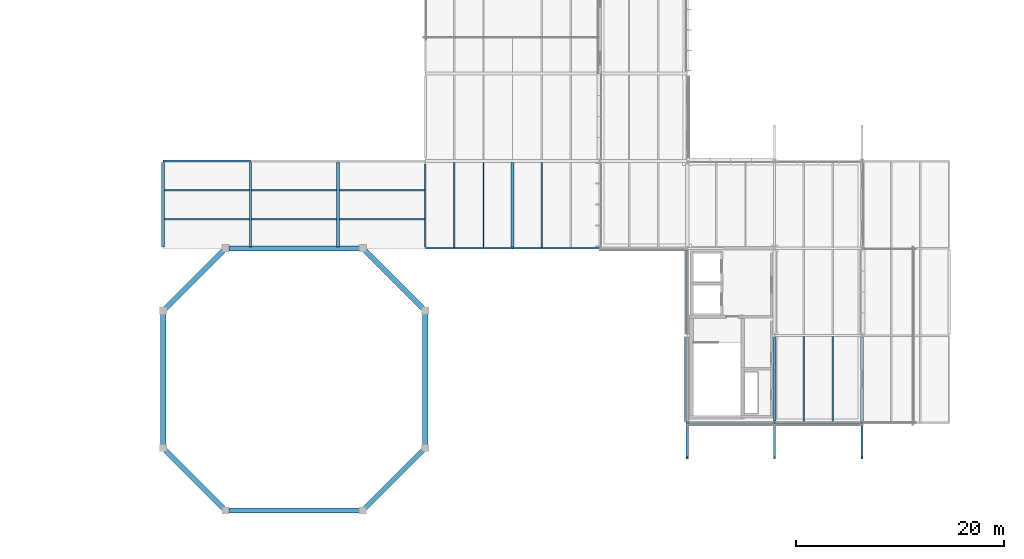
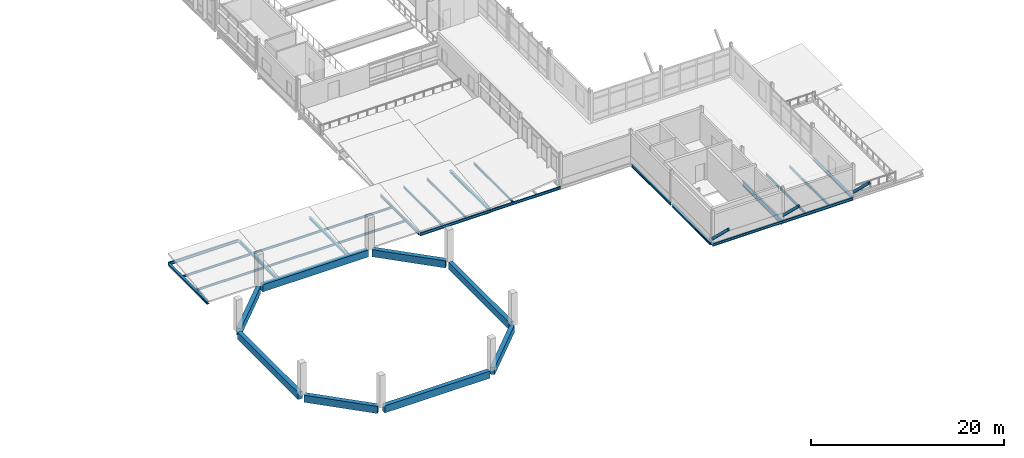
# One storey, part 14 of 131: 33 beams, 3 members.
"""IFC4 building model written with IfcOpenShell, lengths in metres."""

from ifc_helpers import new_model, si_unit, direction, frame, origin, origin_2d, place, context, subcontext, project, spatial, rectangle, hollow_rectangle, i_section, extrude, material, material_profile, profile_set, type_object, element, save


model = new_model("IFC4")

# Units and contexts
model_context = context("Model", 3, precision=1e-05, world=origin(), true_north=direction((0.0, 1.0)))
body_context = subcontext(model_context, "Body", "Model", "MODEL_VIEW")
ifc_project = project(units=[si_unit("LENGTHUNIT", "METRE"), si_unit("AREAUNIT", "SQUARE_METRE"), si_unit("VOLUMEUNIT", "CUBIC_METRE"), si_unit("PLANEANGLEUNIT", "RADIAN"), si_unit("MASSUNIT", "GRAM", prefix="KILO")], contexts=[model_context])

# Site, building, storey
site_placement = place(None, origin())
site = spatial("IfcSite", under=ifc_project, at=site_placement, CompositionType="ELEMENT")
building_placement = place(site_placement, origin())
building = spatial("IfcBuilding", under=site, at=building_placement, Name="Mersafa Astral City Hall", CompositionType="ELEMENT")
storey_placement = place(building_placement, frame((0.0, 0.0, 13.949951171875)))
storey = spatial("IfcBuildingStorey", under=building, at=storey_placement, Name="L03", CompositionType="ELEMENT", Elevation=13.949951171875)

# Beams
ifc_material_1 = material(Name="Concrete C40/50", Category="concrete")
ifc_material_profile_1 = material_profile(ifc_material_1, rectangle(XDim=0.5, YDim=0.89990234375, at=origin_2d()), Name="RC 500x900")
ifc_profile_set_1 = profile_set([ifc_material_profile_1], Name="Concrete C40/50")
beam_type_1 = type_object("IfcBeamType", Name="STR-BM-DRUM-RC500X900", PredefinedType="BEAM", material=ifc_profile_set_1)
beam_1_placement = place(storey_placement, frame((73.510009765625, 0.0, -0.449951171875), z_axis=(1.0, 0.0, 0.0), x_axis=(0.0, 1.0, 0.0)))
element("IfcBeam", 1, at=beam_1_placement, inside=storey, type_object=beam_type_1, Name="L03 Chamber drum ring beam 1", PredefinedType="BEAM", context=body_context, shape_type="SweptSolid", body=[
    extrude(rectangle(XDim=0.5, YDim=0.89990234375, at=origin_2d()), origin(), (0.0, 0.0, 1.0), 12.580078125),
])
beam_2_placement = place(storey_placement, frame((86.619140625, 0.21923828125, -0.449951171875), z_axis=(0.707122301018, 0.707091261015, 0.0), x_axis=(-0.707091261015, 0.707122301018, 0.0)))
element("IfcBeam", 2, at=beam_2_placement, inside=storey, type_object=beam_type_1, Name="L03 Chamber drum ring beam 2", PredefinedType="BEAM", context=body_context, shape_type="SweptSolid", body=[
    extrude(rectangle(XDim=0.5, YDim=0.89990234375, at=origin_2d()), origin(), (0.0, 0.0, 1.0), 7.865234375),
])
beam_3_placement = place(storey_placement, frame((92.39990234375, 6.31005859375, -0.449951171875), z_axis=(0.0, 1.0, 0.0), x_axis=(-1.0, 0.0, 0.0)))
element("IfcBeam", 3, at=beam_3_placement, inside=storey, type_object=beam_type_1, Name="L03 Chamber drum ring beam 3", PredefinedType="BEAM", context=body_context, shape_type="SweptSolid", body=[
    extrude(rectangle(XDim=0.5, YDim=0.89990234375, at=origin_2d()), origin(), (0.0, 0.0, 1.0), 12.579833984375),
])
beam_4_placement = place(storey_placement, frame((92.180908203125, 19.419189453125, -0.449951171875), z_axis=(-0.707122301018, 0.707091261015, 0.0), x_axis=(-0.707091261015, -0.707122301018, 0.0)))
element("IfcBeam", 4, at=beam_4_placement, inside=storey, type_object=beam_type_1, Name="L03 Chamber drum ring beam 4", PredefinedType="BEAM", context=body_context, shape_type="SweptSolid", body=[
    extrude(rectangle(XDim=0.5, YDim=0.89990234375, at=origin_2d()), origin(), (0.0, 0.0, 1.0), 7.865234375),
])
beam_5_placement = place(storey_placement, frame((86.090087890625, 25.199951171875, -0.449951171875), z_axis=(-1.0, 0.0, 0.0), x_axis=(0.0, -1.0, 0.0)))
element("IfcBeam", 5, at=beam_5_placement, inside=storey, type_object=beam_type_1, Name="L03 Chamber drum ring beam 5", PredefinedType="BEAM", context=body_context, shape_type="SweptSolid", body=[
    extrude(rectangle(XDim=0.5, YDim=0.89990234375, at=origin_2d()), origin(), (0.0, 0.0, 1.0), 12.580078125),
])
beam_6_placement = place(storey_placement, frame((72.980712890625, 24.980712890625, -0.449951171875), z_axis=(-0.707106781187, -0.707106781187, 0.0), x_axis=(0.707106781187, -0.707106781187, 0.0)))
element("IfcBeam", 6, at=beam_6_placement, inside=storey, type_object=beam_type_1, Name="L03 Chamber drum ring beam 6", PredefinedType="BEAM", context=body_context, shape_type="SweptSolid", body=[
    extrude(rectangle(XDim=0.5, YDim=0.89990234375, at=origin_2d()), origin(), (0.0, 0.0, 1.0), 7.865234375),
])
beam_7_placement = place(storey_placement, frame((67.199951171875, 18.889892578125, -0.449951171875), z_axis=(0.0, -1.0, 0.0), x_axis=(1.0, 0.0, 0.0)))
element("IfcBeam", 7, at=beam_7_placement, inside=storey, type_object=beam_type_1, Name="L03 Chamber drum ring beam 7", PredefinedType="BEAM", context=body_context, shape_type="SweptSolid", body=[
    extrude(rectangle(XDim=0.5, YDim=0.89990234375, at=origin_2d()), origin(), (0.0, 0.0, 1.0), 12.579833984375),
])
beam_8_placement = place(storey_placement, frame((67.419189453125, 5.78076171875, -0.449951171875), z_axis=(0.707106781187, -0.707106781187, 0.0), x_axis=(0.707106781187, 0.707106781187, 0.0)))
element("IfcBeam", 8, at=beam_8_placement, inside=storey, type_object=beam_type_1, Name="L03 Chamber drum ring beam 8", PredefinedType="BEAM", context=body_context, shape_type="SweptSolid", body=[
    extrude(rectangle(XDim=0.5, YDim=0.89990234375, at=origin_2d()), origin(), (0.0, 0.0, 1.0), 7.865234375),
])
ifc_material_2 = material(Name="Steel S355", Category="steel")
ifc_material_profile_2 = material_profile(ifc_material_2, i_section(OverallWidth=0.219970703125, OverallDepth=0.60009765625, WebThickness=0.011962890625, FlangeThickness=0.01904296875, FilletRadius=0.02392578125, at=origin_2d()), Name="IPE 600")
ifc_profile_set_2 = profile_set([ifc_material_profile_2], Name="Steel S355")
beam_type_2 = type_object("IfcBeamType", Name="STR-BM-IPE600", PredefinedType="BEAM", material=ifc_profile_set_2)
beam_9_placement = place(storey_placement, frame((126.0, 8.574951171875, -0.5), z_axis=(0.0, 1.0, 0.0), x_axis=(-1.0, 0.0, 0.0)))
element("IfcBeam", 9, at=beam_9_placement, inside=storey, type_object=beam_type_2, Name="L03 Primary girder Y 15-1", PredefinedType="BEAM", context=body_context, shape_type="SweptSolid", body=[
    extrude(i_section(OverallWidth=0.219970703125, OverallDepth=0.60009765625, WebThickness=0.011962890625, FlangeThickness=0.01904296875, FilletRadius=0.02392578125, at=origin_2d()), origin(), (0.0, 0.0, 1.0), 8.06005859375),
])
ifc_material_profile_3 = material_profile(ifc_material_2, i_section(OverallWidth=0.135009765625, OverallDepth=0.27001953125, WebThickness=0.006591796875, FlangeThickness=0.01025390625, FilletRadius=0.014892578125, at=origin_2d()), Name="IPE 270")
ifc_profile_set_3 = profile_set([ifc_material_profile_3], Name="Steel S355")
beam_type_3 = type_object("IfcBeamType", Name="STR-BM-JOIST-IPE270", PredefinedType="JOIST", material=ifc_profile_set_3)
for number, where, z_axis, x_axis, name in (
    (10, (67.3349609375, 28.0, -0.3349609375), (1.0, 0.0, 0.0), (0.0, 1.0, 0.0), "L03 Flat roof secondary joist 7"),
    (11, (67.3349609375, 30.800048828125, -0.3349609375), (1.0, 0.0, 0.0), (0.0, 1.0, 0.0), "L03 Flat roof secondary joist 8"),
    (12, (75.679931640625, 28.0, -0.3349609375), (1.0, 0.0, 0.0), (0.0, 1.0, 0.0), "L03 Flat roof secondary joist 9"),
    (13, (75.679931640625, 30.800048828125, -0.3349609375), (1.0, 0.0, 0.0), (0.0, 1.0, 0.0), "L03 Flat roof secondary joist 10"),
    (14, (84.135009765625, 28.0, -0.3349609375), (1.0, 0.0, 0.0), (0.0, 1.0, 0.0), "L03 Flat roof secondary joist 11"),
    (15, (84.135009765625, 30.800048828125, -0.3349609375), (1.0, 0.0, 0.0), (0.0, 1.0, 0.0), "L03 Flat roof secondary joist 12"),
):
    element("IfcBeam", number, at=place(storey_placement, frame(where, z_axis=z_axis, x_axis=x_axis)), inside=storey, type_object=beam_type_3, Name=name, PredefinedType="JOIST", context=body_context, shape_type="SweptSolid", body=[
        extrude(i_section(OverallWidth=0.135009765625, OverallDepth=0.27001953125, WebThickness=0.006591796875, FlangeThickness=0.01025390625, FilletRadius=0.014892578125, at=origin_2d()), origin(), (0.0, 0.0, 1.0), 8.18505859375),
    ])
for number, where, z_axis, x_axis, name in (
    (16, (95.199951171875, 25.280029296875, -0.3349609375), (0.0, 1.0, 0.0), (-1.0, 0.0, 0.0), "L03 Flat roof secondary joist 13"),
    (17, (98.0, 25.280029296875, -0.3349609375), (0.0, 1.0, 0.0), (-1.0, 0.0, 0.0), "L03 Flat roof secondary joist 14"),
):
    element("IfcBeam", number, at=place(storey_placement, frame(where, z_axis=z_axis, x_axis=x_axis)), inside=storey, type_object=beam_type_3, Name=name, PredefinedType="JOIST", context=body_context, shape_type="SweptSolid", body=[
        extrude(i_section(OverallWidth=0.135009765625, OverallDepth=0.27001953125, WebThickness=0.006591796875, FlangeThickness=0.01025390625, FilletRadius=0.014892578125, at=origin_2d()), origin(), (0.0, 0.0, 1.0), 8.175048828125),
    ])
beam_10_placement = place(storey_placement, frame((103.60009765625, 25.27490234375, -0.3349609375), z_axis=(0.0, 1.0, 0.0), x_axis=(-1.0, 0.0, 0.0)))
element("IfcBeam", 18, at=beam_10_placement, inside=storey, type_object=beam_type_3, Name="L03 Flat roof secondary joist 19", PredefinedType="JOIST", context=body_context, shape_type="SweptSolid", body=[
    extrude(i_section(OverallWidth=0.135009765625, OverallDepth=0.27001953125, WebThickness=0.006591796875, FlangeThickness=0.01025390625, FilletRadius=0.014892578125, at=origin_2d()), origin(), (0.0, 0.0, 1.0), 8.18017578125),
])
ifc_material_profile_4 = material_profile(ifc_material_2, i_section(OverallWidth=0.14990234375, OverallDepth=0.300048828125, WebThickness=0.007080078125, FlangeThickness=0.0107421875, FilletRadius=0.014892578125, at=origin_2d()), Name="IPE 300")
ifc_profile_set_4 = profile_set([ifc_material_profile_4], Name="Steel S355")
beam_type_4 = type_object("IfcBeamType", Name="STR-BM-JOIST-IPE300", PredefinedType="JOIST", material=ifc_profile_set_4)
for number, where, z_axis, x_axis, name in (
    (19, (128.800048828125, 8.47998046875, -0.349853515625), (0.0, 1.0, 0.0), (-1.0, 0.0, 0.0), "L03 Composite secondary floor joist 634"),
    (20, (131.60009765625, 8.47998046875, -0.349853515625), (0.0, 1.0, 0.0), (-1.0, 0.0, 0.0), "L03 Composite secondary floor joist 635"),
):
    element("IfcBeam", number, at=place(storey_placement, frame(where, z_axis=z_axis, x_axis=x_axis)), inside=storey, type_object=beam_type_4, Name=name, PredefinedType="JOIST", context=body_context, shape_type="SweptSolid", body=[
        extrude(i_section(OverallWidth=0.14990234375, OverallDepth=0.300048828125, WebThickness=0.007080078125, FlangeThickness=0.0107421875, FilletRadius=0.014892578125, at=origin_2d()), origin(), (0.0, 0.0, 1.0), 8.22509765625),
    ])
ifc_material_profile_5 = material_profile(ifc_material_2, i_section(OverallWidth=0.280029296875, OverallDepth=0.27001953125, WebThickness=0.008056640625, FlangeThickness=0.012939453125, FilletRadius=0.02392578125, at=origin_2d()), Name="HEA 280")
ifc_profile_set_5 = profile_set([ifc_material_profile_5], Name="Steel S355")
beam_type_5 = type_object("IfcBeamType", Name="STR-BM-SPANDREL-HEA280", PredefinedType="SPANDREL", material=ifc_profile_set_5)
for number, where, z_axis, x_axis, name in (
    (21, (67.199951171875, 25.344970703125, -0.3349609375), (0.0, 1.0, 0.0), (-1.0, 0.0, 0.0), "L03 Primary girder Y 8-3"),
    (22, (84.0, 25.344970703125, -0.3349609375), (0.0, 1.0, 0.0), (-1.0, 0.0, 0.0), "L03 Primary girder Y 10-3"),
    (23, (100.800048828125, 25.344970703125, -0.3349609375), (0.0, 1.0, 0.0), (-1.0, 0.0, 0.0), "L03 Primary girder Y 12-3"),
):
    element("IfcBeam", number, at=place(storey_placement, frame(where, z_axis=z_axis, x_axis=x_axis)), inside=storey, type_object=beam_type_5, Name=name, PredefinedType="SPANDREL", context=body_context, shape_type="SweptSolid", body=[
        extrude(i_section(OverallWidth=0.280029296875, OverallDepth=0.27001953125, WebThickness=0.008056640625, FlangeThickness=0.012939453125, FilletRadius=0.02392578125, at=origin_2d()), origin(), (0.0, 0.0, 1.0), 8.110107421875),
    ])
for number, where, z_axis, x_axis, name in (
    (24, (117.60009765625, 8.56494140625, -0.3349609375), (0.0, 1.0, 0.0), (-1.0, 0.0, 0.0), "L03 Primary girder Y 14-1"),
    (25, (134.39990234375, 8.56494140625, -0.3349609375), (0.0, 1.0, 0.0), (-1.0, 0.0, 0.0), "L03 Primary girder Y 16-1"),
):
    element("IfcBeam", number, at=place(storey_placement, frame(where, z_axis=z_axis, x_axis=x_axis)), inside=storey, type_object=beam_type_5, Name=name, PredefinedType="SPANDREL", context=body_context, shape_type="SweptSolid", body=[
        extrude(i_section(OverallWidth=0.280029296875, OverallDepth=0.27001953125, WebThickness=0.008056640625, FlangeThickness=0.012939453125, FilletRadius=0.02392578125, at=origin_2d()), origin(), (0.0, 0.0, 1.0), 8.06005859375),
    ])
ifc_material_profile_6 = material_profile(ifc_material_2, i_section(OverallWidth=0.159912109375, OverallDepth=0.330078125, WebThickness=0.007568359375, FlangeThickness=0.011474609375, FilletRadius=0.01806640625, at=origin_2d()), Name="IPE 330")
ifc_profile_set_6 = profile_set([ifc_material_profile_6], Name="Steel S355")
beam_type_6 = type_object("IfcBeamType", Name="STR-BM-SPANDREL-IPE330", PredefinedType="SPANDREL", material=ifc_profile_set_6)
for number, where, z_axis, x_axis, name in (
    (26, (117.60302734375, 8.39990234375, -0.364990234375), (1.0, 0.0, 0.0), (0.0, 1.0, 0.0), "L03 Primary girder X 14-1"),
    (27, (100.802978515625, 25.199951171875, -0.364990234375), (1.0, 0.0, 0.0), (0.0, 1.0, 0.0), "L03 Primary girder X 12-3"),
):
    element("IfcBeam", number, at=place(storey_placement, frame(where, z_axis=z_axis, x_axis=x_axis)), inside=storey, type_object=beam_type_6, Name=name, PredefinedType="SPANDREL", context=body_context, shape_type="SweptSolid", body=[
        extrude(i_section(OverallWidth=0.159912109375, OverallDepth=0.330078125, WebThickness=0.007568359375, FlangeThickness=0.011474609375, FilletRadius=0.01806640625, at=origin_2d()), origin(), (0.0, 0.0, 1.0), 8.39404296875),
    ])
ifc_material_profile_7 = material_profile(ifc_material_2, i_section(OverallWidth=0.169921875, OverallDepth=0.360107421875, WebThickness=0.008056640625, FlangeThickness=0.0126953125, FilletRadius=0.01806640625, at=origin_2d()), Name="IPE 360")
ifc_profile_set_7 = profile_set([ifc_material_profile_7], Name="Steel S355")
beam_type_7 = type_object("IfcBeamType", Name="STR-BM-SPANDREL-IPE360", PredefinedType="SPANDREL", material=ifc_profile_set_7)
for number, where, z_axis, x_axis, name in (
    (28, (126.0029296875, 8.39990234375, -0.3798828125), (1.0, 0.0, 0.0), (0.0, 1.0, 0.0), "L03 Primary girder X 15-1"),
    (29, (92.403076171875, 25.199951171875, -0.3798828125), (1.0, 0.0, 0.0), (0.0, 1.0, 0.0), "L03 Primary girder X 11-3"),
    (30, (67.202880859375, 33.60009765625, -0.3798828125), (1.0, 0.0, 0.0), (0.0, 1.0, 0.0), "L03 Primary girder X 8-4"),
):
    element("IfcBeam", number, at=place(storey_placement, frame(where, z_axis=z_axis, x_axis=x_axis)), inside=storey, type_object=beam_type_7, Name=name, PredefinedType="SPANDREL", context=body_context, shape_type="SweptSolid", body=[
        extrude(i_section(OverallWidth=0.169921875, OverallDepth=0.360107421875, WebThickness=0.008056640625, FlangeThickness=0.0126953125, FilletRadius=0.01806640625, at=origin_2d()), origin(), (0.0, 0.0, 1.0), 8.39404296875),
    ])
beam_11_placement = place(storey_placement, frame((75.60009765625, 25.344970703125, -0.3798828125), z_axis=(0.0, 1.0, 0.0), x_axis=(-1.0, 0.0, 0.0)))
element("IfcBeam", 31, at=beam_11_placement, inside=storey, type_object=beam_type_7, Name="L03 Primary girder Y 9-3", PredefinedType="SPANDREL", context=body_context, shape_type="SweptSolid", body=[
    extrude(i_section(OverallWidth=0.169921875, OverallDepth=0.360107421875, WebThickness=0.008056640625, FlangeThickness=0.0126953125, FilletRadius=0.01806640625, at=origin_2d()), origin(), (0.0, 0.0, 1.0), 8.110107421875),
])
beam_12_placement = place(storey_placement, frame((92.39990234375, 25.344970703125, -0.3798828125), z_axis=(0.0, 1.0, 0.0), x_axis=(-1.0, 0.0, 0.0)))
element("IfcBeam", 32, at=beam_12_placement, inside=storey, type_object=beam_type_7, Name="L03 Primary girder Y 11-3", PredefinedType="SPANDREL", context=body_context, shape_type="SweptSolid", body=[
    extrude(i_section(OverallWidth=0.169921875, OverallDepth=0.360107421875, WebThickness=0.008056640625, FlangeThickness=0.0126953125, FilletRadius=0.01806640625, at=origin_2d()), origin(), (0.0, 0.0, 1.0), 7.985107421875),
])
beam_13_placement = place(storey_placement, frame((117.60009765625, 16.97509765625, -0.3798828125), z_axis=(0.0, 1.0, 0.0), x_axis=(-1.0, 0.0, 0.0)))
element("IfcBeam", 33, at=beam_13_placement, inside=storey, type_object=beam_type_7, Name="L03 Primary girder Y 14-2", PredefinedType="SPANDREL", context=body_context, shape_type="SweptSolid", body=[
    extrude(i_section(OverallWidth=0.169921875, OverallDepth=0.360107421875, WebThickness=0.008056640625, FlangeThickness=0.0126953125, FilletRadius=0.01806640625, at=origin_2d()), origin(), (0.0, 0.0, 1.0), 8.059814453125),
])

# Members
ifc_material_profile_8 = material_profile(ifc_material_2, hollow_rectangle(XDim=0.199951171875, YDim=0.300048828125, WallThickness=0.012451171875, at=origin_2d()), Name="RHS 200x300x12.5")
ifc_profile_set_8 = profile_set([ifc_material_profile_8], Name="Steel S355")
member_type = type_object("IfcMemberType", Name="STR-MBR-STRUT-RHS200X300", PredefinedType="BRACE", material=ifc_profile_set_8)
for number, where, z_axis, x_axis, name in (
    (34, (117.60009765625, 8.39990234375, 0.400146484375), (0.0, -0.718795502172, 0.695221566163), (1.0, 0.0, 0.0), "L03 Raked cosmic eave strut ROOF-T2-V3 S-14"),
    (35, (126.0, 8.39990234375, 0.400146484375), (0.0, -0.718795502172, 0.695221566163), (1.0, 0.0, 0.0), "L03 Raked cosmic eave strut ROOF-T2-V3 S-15"),
    (36, (134.39990234375, 8.39990234375, 0.400146484375), (0.0, -0.718795502172, 0.695221566163), (1.0, 0.0, 0.0), "L03 Raked cosmic eave strut ROOF-T2-V3 S-16"),
):
    element("IfcMember", number, at=place(storey_placement, frame(where, z_axis=z_axis, x_axis=x_axis)), inside=storey, type_object=member_type, Name=name, PredefinedType="BRACE", context=body_context, shape_type="SweptSolid", body=[
        extrude(hollow_rectangle(XDim=0.199951171875, YDim=0.300048828125, WallThickness=0.012451171875, at=origin_2d()), origin(), (0.0, 0.0, 1.0), 4.660400390625),
    ])

save(model, "model.ifc")
